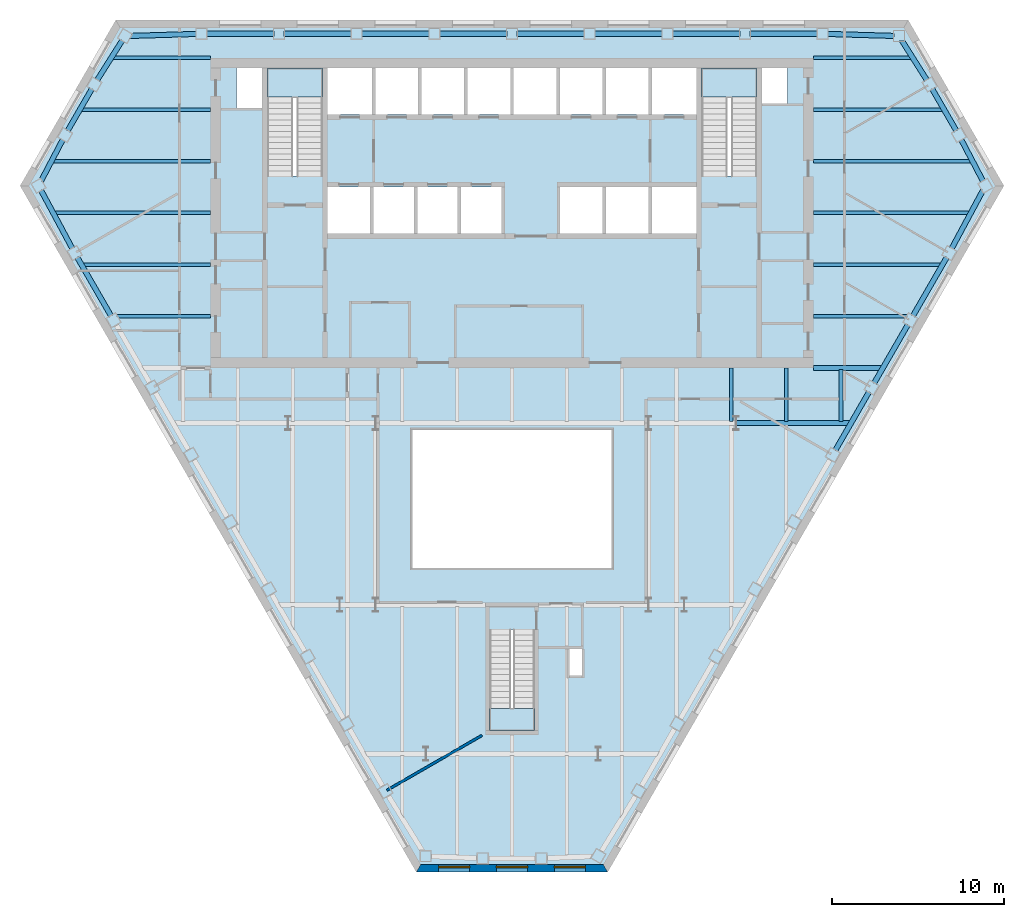
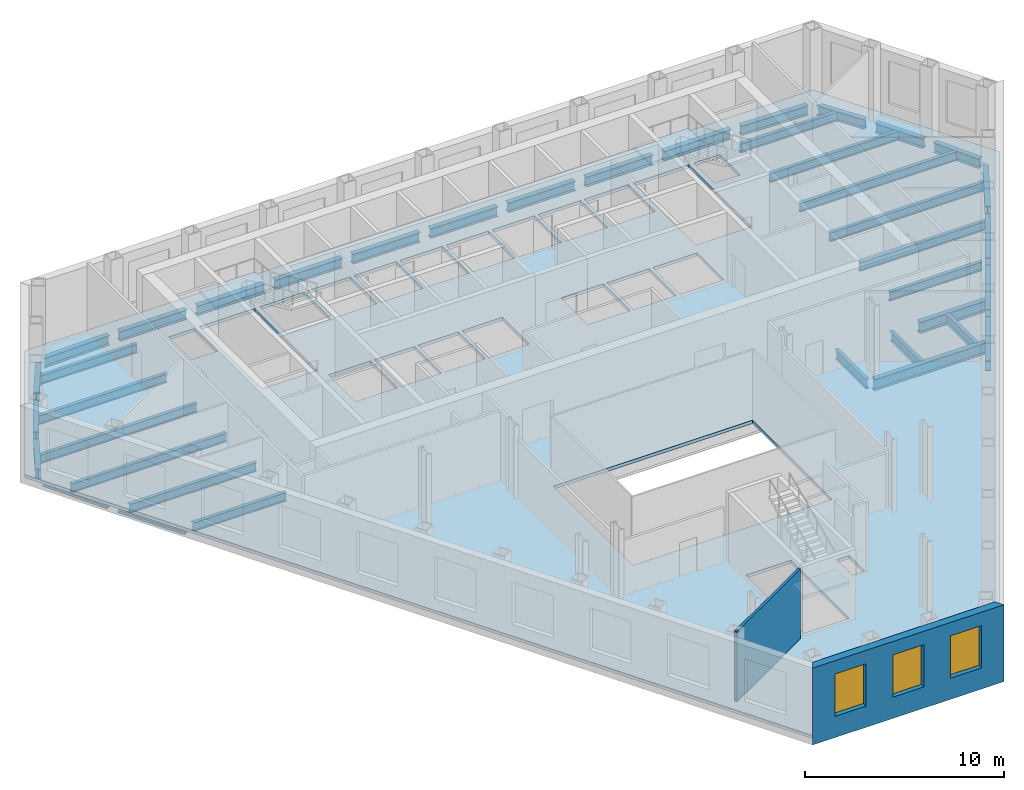
# One storey, part 3 of 11: 39 beams, 4 slabs, 3 windows, 2 walls, 3 openings, 3 elements without a shape of their own.
"""IFC4 building model written with IfcOpenShell, lengths in metres."""

from ifc_helpers import new_model, si_unit, direction, frame, frame_2d, origin, origin_2d, place, context, subcontext, project, spatial, polyline, rectangle, i_section, outline, extrude, clip, halfspace, material, layer, layer_set, material_profile, profile_set, type_object, element, fill, aggregate, save


model = new_model("IFC4")

# Units and contexts
model_context = context("Model", 3, precision=1e-05, world=origin(), true_north=direction((0.0, 1.0)))
body_context = subcontext(model_context, "Body", "Model", "MODEL_VIEW")
ifc_project = project(units=[si_unit("LENGTHUNIT", "METRE"), si_unit("AREAUNIT", "SQUARE_METRE"), si_unit("VOLUMEUNIT", "CUBIC_METRE"), si_unit("PLANEANGLEUNIT", "RADIAN"), si_unit("MASSUNIT", "GRAM", prefix="KILO")], contexts=[model_context])

# Site, building, storey
site_placement = place(None, origin())
site = spatial("IfcSite", under=ifc_project, at=site_placement, CompositionType="ELEMENT")
building_placement = place(site_placement, origin())
building = spatial("IfcBuilding", under=site, at=building_placement, Name="Njiva Tower", CompositionType="ELEMENT")
storey_placement = place(building_placement, frame((0.0, 0.0, 64.8)))
storey = spatial("IfcBuildingStorey", under=building, at=storey_placement, Name="L13", CompositionType="ELEMENT", Elevation=64.8)

# Beams
ifc_material_1 = material(Name="Steel S355 J2", Category="steel")
ifc_material_profile_1 = material_profile(ifc_material_1, i_section(OverallWidth=0.21, OverallDepth=0.55, WebThickness=0.0111, FlangeThickness=0.0172, at=origin_2d()), Name="IPE 550")
ifc_profile_set_1 = profile_set([ifc_material_profile_1], Name="Steel S355 J2")
beam_type_1 = type_object("IfcBeamType", Name="B10 Floor beam to the core IPE 550", PredefinedType="BEAM", material=ifc_profile_set_1)
beam_1_placement = place(storey_placement, frame((-22.996, 3.0, -0.475), z_axis=(1.0, 0.0, 0.0), x_axis=(0.0, 1.0, 0.0)))
element("IfcBeam", 1, at=beam_1_placement, inside=storey, type_object=beam_type_1, Name="Floor beam to the core S04-B007", PredefinedType="BEAM", context=body_context, shape_type="Clipping", body=[
    clip(extrude(i_section(OverallWidth=0.21, OverallDepth=0.55, WebThickness=0.0111, FlangeThickness=0.0172, at=origin_2d()), origin(), (0.0, 0.0, 1.0), 5.496), halfspace(frame((-0.025, 0.0, 0.0955), z_axis=(-0.499998009787, 0.0, -0.866026552831), x_axis=(0.0, -1.0, 0.0)), False)),
])
beam_2_placement = place(storey_placement, frame((17.5, 3.0, -0.475), z_axis=(1.0, 0.0, 0.0), x_axis=(0.0, 1.0, 0.0)))
element("IfcBeam", 2, at=beam_2_placement, inside=storey, type_object=beam_type_1, Name="Floor beam to the core S04-B008", PredefinedType="BEAM", context=body_context, shape_type="Clipping", body=[
    clip(extrude(i_section(OverallWidth=0.21, OverallDepth=0.55, WebThickness=0.0111, FlangeThickness=0.0172, at=origin_2d()), origin(), (0.0, 0.0, 1.0), 5.496), halfspace(frame((-0.025, 0.0, 5.4005), z_axis=(-0.499998009787, 0.0, 0.866026552831), x_axis=(0.0, 1.0, 0.0)), False)),
])
beam_3_placement = place(storey_placement, frame((-24.958, 6.0, -0.475), z_axis=(1.0, 0.0, 0.0), x_axis=(0.0, 1.0, 0.0)))
element("IfcBeam", 3, at=beam_3_placement, inside=storey, type_object=beam_type_1, Name="Floor beam to the core S04-B004", PredefinedType="BEAM", context=body_context, shape_type="Clipping", body=[
    clip(extrude(i_section(OverallWidth=0.21, OverallDepth=0.55, WebThickness=0.0111, FlangeThickness=0.0172, at=origin_2d()), origin(), (0.0, 0.0, 1.0), 7.458), halfspace(frame((-0.025, 0.0, 0.095), z_axis=(-0.499998009787, 0.0, -0.866026552831), x_axis=(0.0, -1.0, 0.0)), False)),
])
beam_4_placement = place(storey_placement, frame((17.5, 6.0, -0.475), z_axis=(1.0, 0.0, 0.0), x_axis=(0.0, 1.0, 0.0)))
element("IfcBeam", 4, at=beam_4_placement, inside=storey, type_object=beam_type_1, Name="Floor beam to the core S04-B010", PredefinedType="BEAM", context=body_context, shape_type="Clipping", body=[
    clip(extrude(i_section(OverallWidth=0.21, OverallDepth=0.55, WebThickness=0.0111, FlangeThickness=0.0172, at=origin_2d()), origin(), (0.0, 0.0, 1.0), 7.458), halfspace(frame((-0.025, 0.0, 7.363), z_axis=(-0.499998009787, 0.0, 0.866026552831), x_axis=(0.0, 1.0, 0.0)), False)),
])
beam_5_placement = place(storey_placement, frame((-26.596, 9.0, -0.475), z_axis=(1.0, 0.0, 0.0), x_axis=(0.0, 1.0, 0.0)))
element("IfcBeam", 5, at=beam_5_placement, inside=storey, type_object=beam_type_1, Name="Floor beam to the core S04-B002", PredefinedType="BEAM", context=body_context, shape_type="Clipping", body=[
    clip(extrude(i_section(OverallWidth=0.21, OverallDepth=0.55, WebThickness=0.0111, FlangeThickness=0.0172, at=origin_2d()), origin(), (0.0, 0.0, 1.0), 9.096), halfspace(frame((-0.0237, 0.0, 0.0889), z_axis=(-0.473777178452, 0.0, -0.88064475538), x_axis=(0.0, -1.0, 0.0)), False)),
])
beam_6_placement = place(storey_placement, frame((17.5, 9.0, -0.475), z_axis=(1.0, 0.0, 0.0), x_axis=(0.0, 1.0, 0.0)))
element("IfcBeam", 6, at=beam_6_placement, inside=storey, type_object=beam_type_1, Name="Floor beam to the core S04-B011", PredefinedType="BEAM", context=body_context, shape_type="Clipping", body=[
    clip(extrude(i_section(OverallWidth=0.21, OverallDepth=0.55, WebThickness=0.0111, FlangeThickness=0.0172, at=origin_2d()), origin(), (0.0, 0.0, 1.0), 9.096), halfspace(frame((-0.0237, 0.0, 9.0071), z_axis=(-0.473777178452, 0.0, 0.88064475538), x_axis=(0.0, 1.0, 0.0)), False)),
])
beam_7_placement = place(storey_placement, frame((-26.698, 12.0, -0.475), z_axis=(1.0, 0.0, 0.0), x_axis=(0.0, 1.0, 0.0)))
element("IfcBeam", 7, at=beam_7_placement, inside=storey, type_object=beam_type_1, Name="Floor beam to the core S04-B001", PredefinedType="BEAM", context=body_context, shape_type="Clipping", body=[
    clip(extrude(i_section(OverallWidth=0.21, OverallDepth=0.55, WebThickness=0.0111, FlangeThickness=0.0172, at=origin_2d()), origin(), (0.0, 0.0, 1.0), 9.198), halfspace(frame((0.0232, 0.0, 0.087), z_axis=(0.46488936101, 0.0, -0.885368783061), x_axis=(0.0, -1.0, 0.0)), False)),
])
beam_8_placement = place(storey_placement, frame((17.5, 12.0, -0.475), z_axis=(1.0, 0.0, 0.0), x_axis=(0.0, 1.0, 0.0)))
element("IfcBeam", 8, at=beam_8_placement, inside=storey, type_object=beam_type_1, Name="Floor beam to the core S04-B012", PredefinedType="BEAM", context=body_context, shape_type="Clipping", body=[
    clip(extrude(i_section(OverallWidth=0.21, OverallDepth=0.55, WebThickness=0.0111, FlangeThickness=0.0172, at=origin_2d()), origin(), (0.0, 0.0, 1.0), 9.198), halfspace(frame((0.0232, 0.0, 9.111), z_axis=(0.46488936101, 0.0, 0.885368783061), x_axis=(0.0, 1.0, 0.0)), False)),
])
beam_9_placement = place(storey_placement, frame((-25.049, 15.0, -0.475), z_axis=(1.0, 0.0, 0.0), x_axis=(0.0, 1.0, 0.0)))
element("IfcBeam", 9, at=beam_9_placement, inside=storey, type_object=beam_type_1, Name="Floor beam to the core S04-B003", PredefinedType="BEAM", context=body_context, shape_type="Clipping", body=[
    clip(extrude(i_section(OverallWidth=0.21, OverallDepth=0.55, WebThickness=0.0111, FlangeThickness=0.0172, at=origin_2d()), origin(), (0.0, 0.0, 1.0), 7.549), halfspace(frame((0.025, 0.0, 0.0954), z_axis=(0.499998009787, 0.0, -0.866026552831), x_axis=(0.0, -1.0, 0.0)), False)),
])
beam_10_placement = place(storey_placement, frame((17.5, 15.0, -0.475), z_axis=(1.0, 0.0, 0.0), x_axis=(0.0, 1.0, 0.0)))
element("IfcBeam", 10, at=beam_10_placement, inside=storey, type_object=beam_type_1, Name="Floor beam to the core S04-B013", PredefinedType="BEAM", context=body_context, shape_type="Clipping", body=[
    clip(extrude(i_section(OverallWidth=0.21, OverallDepth=0.55, WebThickness=0.0111, FlangeThickness=0.0172, at=origin_2d()), origin(), (0.0, 0.0, 1.0), 7.549), halfspace(frame((0.025, 0.0, 7.4536), z_axis=(0.499998009787, 0.0, 0.866026552831), x_axis=(0.0, 1.0, 0.0)), False)),
])
beam_11_placement = place(storey_placement, frame((-23.235, 18.0, -0.475), z_axis=(1.0, 0.0, 0.0), x_axis=(0.0, 1.0, 0.0)))
element("IfcBeam", 11, at=beam_11_placement, inside=storey, type_object=beam_type_1, Name="Floor beam to the core S04-B006", PredefinedType="BEAM", context=body_context, shape_type="Clipping", body=[
    clip(extrude(i_section(OverallWidth=0.21, OverallDepth=0.55, WebThickness=0.0111, FlangeThickness=0.0172, at=origin_2d()), origin(), (0.0, 0.0, 1.0), 5.735), halfspace(frame((0.0267, 0.0, 0.1031), z_axis=(0.534309369462, 0.0, -0.845289002475), x_axis=(0.0, -1.0, 0.0)), False)),
])
beam_12_placement = place(storey_placement, frame((17.5, 18.0, -0.475), z_axis=(1.0, 0.0, 0.0), x_axis=(0.0, 1.0, 0.0)))
element("IfcBeam", 12, at=beam_12_placement, inside=storey, type_object=beam_type_1, Name="Floor beam to the core S04-B014", PredefinedType="BEAM", context=body_context, shape_type="Clipping", body=[
    clip(extrude(i_section(OverallWidth=0.21, OverallDepth=0.55, WebThickness=0.0111, FlangeThickness=0.0172, at=origin_2d()), origin(), (0.0, 0.0, 1.0), 5.735), halfspace(frame((0.0267, 0.0, 5.6319), z_axis=(0.534309369462, 0.0, 0.845289002475), x_axis=(0.0, 1.0, 0.0)), False)),
])
ifc_material_profile_2 = material_profile(ifc_material_1, i_section(OverallWidth=0.22, OverallDepth=0.6, WebThickness=0.012, FlangeThickness=0.019, at=origin_2d()), Name="IPE 600")
ifc_profile_set_2 = profile_set([ifc_material_profile_2], Name="Steel S355 J2")
beam_type_2 = type_object("IfcBeamType", Name="B14 Short-span floor joist IPE 600", PredefinedType="JOIST", material=ifc_profile_set_2)
for number, where, z_axis, x_axis, name in (
    (13, (12.733, -0.005, -0.5), (0.0, -1.0, 0.0), (1.0, 0.0, 0.0), "Short-span floor joist S04-B091"),
    (14, (15.917, -0.005, -0.5), (0.0, -1.0, 0.0), (1.0, 0.0, 0.0), "Short-span floor joist S04-B093"),
):
    element("IfcBeam", number, at=place(storey_placement, frame(where, z_axis=z_axis, x_axis=x_axis)), inside=storey, type_object=beam_type_2, Name=name, PredefinedType="JOIST", context=body_context, shape_type="SweptSolid", body=[
        extrude(i_section(OverallWidth=0.22, OverallDepth=0.6, WebThickness=0.012, FlangeThickness=0.019, at=origin_2d()), origin(), (0.0, 0.0, 1.0), 3.095),
    ])
beam_13_placement = place(storey_placement, frame((19.1, -0.1, -0.5), z_axis=(0.0, -1.0, 0.0), x_axis=(1.0, 0.0, 0.0)))
element("IfcBeam", 15, at=beam_13_placement, inside=storey, type_object=beam_type_2, Name="Short-span floor joist S04-B094", PredefinedType="JOIST", context=body_context, shape_type="SweptSolid", body=[
    extrude(i_section(OverallWidth=0.22, OverallDepth=0.6, WebThickness=0.012, FlangeThickness=0.019, at=origin_2d()), origin(), (0.0, 0.0, 1.0), 3.0),
])
ifc_material_profile_3 = material_profile(ifc_material_1, i_section(OverallWidth=0.3, OverallDepth=0.69, WebThickness=0.0145, FlangeThickness=0.027, at=origin_2d()), Name="HEA 700")
ifc_profile_set_3 = profile_set([ifc_material_profile_3], Name="Steel S355 J2")
beam_type_3 = type_object("IfcBeamType", Name="B15 Floor girder HEA 700", PredefinedType="BEAM", material=ifc_profile_set_3)
beam_14_placement = place(storey_placement, frame((13.0, -3.2, -0.545), z_axis=(1.0, 0.0, 0.0), x_axis=(0.0, 1.0, 0.0)))
element("IfcBeam", 16, at=beam_14_placement, inside=storey, type_object=beam_type_3, Name="Floor girder S04-B026", PredefinedType="BEAM", context=body_context, shape_type="Clipping", body=[
    clip(extrude(i_section(OverallWidth=0.3, OverallDepth=0.69, WebThickness=0.0145, FlangeThickness=0.027, at=origin_2d()), origin(), (0.0, 0.0, 1.0), 6.673), halfspace(frame((-0.025, 0.0, 6.5513), z_axis=(-0.499998009787, 0.0, 0.866026552831), x_axis=(0.0, 1.0, 0.0)), False)),
])
ifc_material_profile_4 = material_profile(ifc_material_1, i_section(OverallWidth=0.3, OverallDepth=0.69, WebThickness=0.0145, FlangeThickness=0.027, at=origin_2d()), Name="HEA 700")
ifc_profile_set_4 = profile_set([ifc_material_profile_4], Name="Steel S355 J2")
beam_type_4 = type_object("IfcBeamType", Name="B16 Short-span floor girder HEA 700", PredefinedType="BEAM", material=ifc_profile_set_4)
beam_15_placement = place(storey_placement, frame((17.5, 0.0, -0.545), z_axis=(1.0, 0.0, 0.0), x_axis=(0.0, 1.0, 0.0)))
element("IfcBeam", 17, at=beam_15_placement, inside=storey, type_object=beam_type_4, Name="Short-span floor girder S04-B027", PredefinedType="BEAM", context=body_context, shape_type="Clipping", body=[
    clip(extrude(i_section(OverallWidth=0.3, OverallDepth=0.69, WebThickness=0.0145, FlangeThickness=0.027, at=origin_2d()), origin(), (0.0, 0.0, 1.0), 4.02), halfspace(frame((-0.025, 0.0, 3.8989), z_axis=(-0.499998009787, 0.0, 0.866026552831), x_axis=(0.0, 1.0, 0.0)), False)),
])
ifc_material_profile_5 = material_profile(ifc_material_1, i_section(OverallWidth=0.3, OverallDepth=0.6, WebThickness=0.0155, FlangeThickness=0.03, at=origin_2d()), Name="HEB 600")
ifc_profile_set_5 = profile_set([ifc_material_profile_5], Name="Steel S355 J2")
beam_type_5 = type_object("IfcBeamType", Name="B3 Short-span spandrel beam HEB 600", PredefinedType="SPANDREL", material=ifc_profile_set_5)
beam_16_placement = place(storey_placement, frame((22.162, 19.276, -0.5), z_axis=(-0.999548107162, 0.030059631884, 0.0), x_axis=(-0.030059631884, -0.999548107162, 0.0)))
element("IfcBeam", 18, at=beam_16_placement, inside=storey, type_object=beam_type_5, Name="Short-span spandrel beam S04-B160", PredefinedType="SPANDREL", context=body_context, shape_type="SweptSolid", body=[
    extrude(i_section(OverallWidth=0.3, OverallDepth=0.6, WebThickness=0.0155, FlangeThickness=0.03, at=origin_2d()), origin(), (0.0, 0.0, 1.0), 3.8257),
])
beam_17_placement = place(storey_placement, frame((17.734, 19.4, -0.5), z_axis=(-1.0, 0.0, 0.0), x_axis=(0.0, -1.0, 0.0)))
element("IfcBeam", 19, at=beam_17_placement, inside=storey, type_object=beam_type_5, Name="Short-span spandrel beam S04-B154", PredefinedType="SPANDREL", context=body_context, shape_type="SweptSolid", body=[
    extrude(i_section(OverallWidth=0.3, OverallDepth=0.6, WebThickness=0.0155, FlangeThickness=0.03, at=origin_2d()), origin(), (0.0, 0.0, 1.0), 3.908),
])
beam_18_placement = place(storey_placement, frame((13.226, 19.4, -0.5), z_axis=(-1.0, 0.0, 0.0), x_axis=(0.0, -1.0, 0.0)))
element("IfcBeam", 20, at=beam_18_placement, inside=storey, type_object=beam_type_5, Name="Short-span spandrel beam S04-B148", PredefinedType="SPANDREL", context=body_context, shape_type="SweptSolid", body=[
    extrude(i_section(OverallWidth=0.3, OverallDepth=0.6, WebThickness=0.0155, FlangeThickness=0.03, at=origin_2d()), origin(), (0.0, 0.0, 1.0), 3.909),
])
beam_19_placement = place(storey_placement, frame((8.717, 19.4, -0.5), z_axis=(-1.0, 0.0, 0.0), x_axis=(0.0, -1.0, 0.0)))
element("IfcBeam", 21, at=beam_19_placement, inside=storey, type_object=beam_type_5, Name="Short-span spandrel beam S04-B142", PredefinedType="SPANDREL", context=body_context, shape_type="SweptSolid", body=[
    extrude(i_section(OverallWidth=0.3, OverallDepth=0.6, WebThickness=0.0155, FlangeThickness=0.03, at=origin_2d()), origin(), (0.0, 0.0, 1.0), 3.908),
])
for number, where, z_axis, x_axis, name in (
    (22, (4.209, 19.4, -0.5), (-1.0, 0.0, 0.0), (0.0, -1.0, 0.0), "Short-span spandrel beam S04-B139"),
    (23, (-0.3, 19.4, -0.5), (-1.0, 0.0, 0.0), (0.0, -1.0, 0.0), "Short-span spandrel beam S04-B136"),
):
    element("IfcBeam", number, at=place(storey_placement, frame(where, z_axis=z_axis, x_axis=x_axis)), inside=storey, type_object=beam_type_5, Name=name, PredefinedType="SPANDREL", context=body_context, shape_type="SweptSolid", body=[
        extrude(i_section(OverallWidth=0.3, OverallDepth=0.6, WebThickness=0.0155, FlangeThickness=0.03, at=origin_2d()), origin(), (0.0, 0.0, 1.0), 3.909),
    ])
beam_20_placement = place(storey_placement, frame((-4.809, 19.4, -0.5), z_axis=(-1.0, 0.0, 0.0), x_axis=(0.0, -1.0, 0.0)))
element("IfcBeam", 24, at=beam_20_placement, inside=storey, type_object=beam_type_5, Name="Short-span spandrel beam S04-B131", PredefinedType="SPANDREL", context=body_context, shape_type="SweptSolid", body=[
    extrude(i_section(OverallWidth=0.3, OverallDepth=0.6, WebThickness=0.0155, FlangeThickness=0.03, at=origin_2d()), origin(), (0.0, 0.0, 1.0), 3.908),
])
beam_21_placement = place(storey_placement, frame((-9.317, 19.4, -0.5), z_axis=(-1.0, 0.0, 0.0), x_axis=(0.0, -1.0, 0.0)))
element("IfcBeam", 25, at=beam_21_placement, inside=storey, type_object=beam_type_5, Name="Short-span spandrel beam S04-B125", PredefinedType="SPANDREL", context=body_context, shape_type="SweptSolid", body=[
    extrude(i_section(OverallWidth=0.3, OverallDepth=0.6, WebThickness=0.0155, FlangeThickness=0.03, at=origin_2d()), origin(), (0.0, 0.0, 1.0), 3.909),
])
beam_22_placement = place(storey_placement, frame((-13.826, 19.4, -0.5), z_axis=(-1.0, 0.0, 0.0), x_axis=(0.0, -1.0, 0.0)))
element("IfcBeam", 26, at=beam_22_placement, inside=storey, type_object=beam_type_5, Name="Short-span spandrel beam S04-B119", PredefinedType="SPANDREL", context=body_context, shape_type="SweptSolid", body=[
    extrude(i_section(OverallWidth=0.3, OverallDepth=0.6, WebThickness=0.0155, FlangeThickness=0.03, at=origin_2d()), origin(), (0.0, 0.0, 1.0), 3.908),
])
beam_23_placement = place(storey_placement, frame((-18.338, 19.391, -0.5), z_axis=(-0.999544572792, -0.03017692831, 0.0), x_axis=(0.03017692831, -0.999544572792, 0.0)))
element("IfcBeam", 27, at=beam_23_placement, inside=storey, type_object=beam_type_5, Name="Short-span spandrel beam S04-B113", PredefinedType="SPANDREL", context=body_context, shape_type="Clipping", body=[
    clip(extrude(i_section(OverallWidth=0.3, OverallDepth=0.6, WebThickness=0.0155, FlangeThickness=0.03, at=origin_2d()), origin(), (0.0, 0.0, 1.0), 3.8907), halfspace(frame((-0.0268, 0.0, 3.761), z_axis=(-0.525904318289, 0.0, 0.85054373668), x_axis=(0.0, 1.0, 0.0)), False)),
])
beam_24_placement = place(storey_placement, frame((-22.629, 19.009, -0.5), z_axis=(-0.534367564776, -0.845252214262, 0.0), x_axis=(0.845252214262, -0.534367564776, 0.0)))
element("IfcBeam", 28, at=beam_24_placement, inside=storey, type_object=beam_type_5, Name="Short-span spandrel beam S04-B110", PredefinedType="SPANDREL", context=body_context, shape_type="SweptSolid", body=[
    extrude(i_section(OverallWidth=0.3, OverallDepth=0.6, WebThickness=0.0155, FlangeThickness=0.03, at=origin_2d()), origin(), (0.0, 0.0, 1.0), 2.7116),
])
beam_25_placement = place(storey_placement, frame((-24.391, 16.199, -0.5), z_axis=(-0.500217983815, -0.865899514186, 0.0), x_axis=(0.865899514186, -0.500217983815, 0.0)))
element("IfcBeam", 29, at=beam_25_placement, inside=storey, type_object=beam_type_5, Name="Short-span spandrel beam S04-B106", PredefinedType="SPANDREL", context=body_context, shape_type="SweptSolid", body=[
    extrude(i_section(OverallWidth=0.3, OverallDepth=0.6, WebThickness=0.0155, FlangeThickness=0.03, at=origin_2d()), origin(), (0.0, 0.0, 1.0), 2.7948),
])
beam_26_placement = place(storey_placement, frame((-26.081, 13.248, -0.5), z_axis=(-0.464863358723, -0.885382435853, 0.0), x_axis=(0.885382435853, -0.464863358723, 0.0)))
element("IfcBeam", 30, at=beam_26_placement, inside=storey, type_object=beam_type_5, Name="Short-span spandrel beam S04-B103", PredefinedType="SPANDREL", context=body_context, shape_type="Clipping", body=[
    clip(extrude(i_section(OverallWidth=0.3, OverallDepth=0.6, WebThickness=0.0155, FlangeThickness=0.03, at=origin_2d()), origin(), (0.0, 0.0, 1.0), 2.776), halfspace(frame((-0.0266, 0.0, 2.644), z_axis=(-0.534333944675, 0.0, 0.845273467919), x_axis=(0.0, 1.0, 0.0)), False)),
])
beam_27_placement = place(storey_placement, frame((-27.338, 10.311, -0.5), z_axis=(0.473678871271, -0.880697636486, 0.0), x_axis=(0.880697636486, 0.473678871271, 0.0)))
element("IfcBeam", 31, at=beam_27_placement, inside=storey, type_object=beam_type_5, Name="Short-span spandrel beam S04-B102", PredefinedType="SPANDREL", context=body_context, shape_type="SweptSolid", body=[
    extrude(i_section(OverallWidth=0.3, OverallDepth=0.6, WebThickness=0.0155, FlangeThickness=0.03, at=origin_2d()), origin(), (0.0, 0.0, 1.0), 3.8254),
])
for number, where, z_axis, x_axis, name in (
    (32, (-25.232, 6.414, -0.5), (0.499936548189, -0.866062034606, 0.0), (0.866062034606, 0.499936548189, 0.0), "Short-span spandrel beam S04-B107"),
    (33, (18.769, -4.78, -0.5), (0.499936548189, 0.866062034606, 0.0), (-0.866062034606, 0.499936548189, 0.0), "Short-span spandrel beam S04-B162"),
):
    element("IfcBeam", number, at=place(storey_placement, frame(where, z_axis=z_axis, x_axis=x_axis)), inside=storey, type_object=beam_type_5, Name=name, PredefinedType="SPANDREL", context=body_context, shape_type="SweptSolid", body=[
        extrude(i_section(OverallWidth=0.3, OverallDepth=0.6, WebThickness=0.0155, FlangeThickness=0.03, at=origin_2d()), origin(), (0.0, 0.0, 1.0), 3.9085),
    ])
beam_28_placement = place(storey_placement, frame((21.023, -0.875, -0.5), z_axis=(0.500239230067, 0.865887240177, 0.0), x_axis=(-0.865887240177, 0.500239230067, 0.0)))
element("IfcBeam", 34, at=beam_28_placement, inside=storey, type_object=beam_type_5, Name="Short-span spandrel beam S04-B164", PredefinedType="SPANDREL", context=body_context, shape_type="SweptSolid", body=[
    extrude(i_section(OverallWidth=0.3, OverallDepth=0.6, WebThickness=0.0155, FlangeThickness=0.03, at=origin_2d()), origin(), (0.0, 0.0, 1.0), 3.9081),
])
beam_29_placement = place(storey_placement, frame((23.278, 3.029, -0.5), z_axis=(0.499936548189, 0.866062034606, 0.0), x_axis=(-0.866062034606, 0.499936548189, 0.0)))
element("IfcBeam", 35, at=beam_29_placement, inside=storey, type_object=beam_type_5, Name="Short-span spandrel beam S04-B168", PredefinedType="SPANDREL", context=body_context, shape_type="SweptSolid", body=[
    extrude(i_section(OverallWidth=0.3, OverallDepth=0.6, WebThickness=0.0155, FlangeThickness=0.03, at=origin_2d()), origin(), (0.0, 0.0, 1.0), 3.9085),
])
beam_30_placement = place(storey_placement, frame((25.526, 6.942, -0.5), z_axis=(0.473910354791, 0.880573094991, 0.0), x_axis=(-0.880573094991, 0.473910354791, 0.0)))
element("IfcBeam", 36, at=beam_30_placement, inside=storey, type_object=beam_type_5, Name="Short-span spandrel beam S04-B172", PredefinedType="SPANDREL", context=body_context, shape_type="Clipping", body=[
    clip(extrude(i_section(OverallWidth=0.3, OverallDepth=0.6, WebThickness=0.0155, FlangeThickness=0.03, at=origin_2d()), origin(), (0.0, 0.0, 1.0), 3.8901), halfspace(frame((-0.0259, 0.0, 3.7607), z_axis=(-0.525645447758, 0.0, 0.850703745878), x_axis=(0.0, 1.0, 0.0)), False)),
])
beam_31_placement = place(storey_placement, frame((27.341, 10.848, -0.5), z_axis=(-0.46483389899, 0.885397902838, 0.0), x_axis=(-0.885397902838, -0.46483389899, 0.0)))
element("IfcBeam", 37, at=beam_31_placement, inside=storey, type_object=beam_type_5, Name="Short-span spandrel beam S04-B173", PredefinedType="SPANDREL", context=body_context, shape_type="SweptSolid", body=[
    extrude(i_section(OverallWidth=0.3, OverallDepth=0.6, WebThickness=0.0155, FlangeThickness=0.03, at=origin_2d()), origin(), (0.0, 0.0, 1.0), 2.7106),
])
beam_32_placement = place(storey_placement, frame((25.789, 13.779, -0.5), z_axis=(-0.500217983815, 0.865899514186, 0.0), x_axis=(-0.865899514186, -0.500217983815, 0.0)))
element("IfcBeam", 38, at=beam_32_placement, inside=storey, type_object=beam_type_5, Name="Short-span spandrel beam S04-B169", PredefinedType="SPANDREL", context=body_context, shape_type="SweptSolid", body=[
    extrude(i_section(OverallWidth=0.3, OverallDepth=0.6, WebThickness=0.0155, FlangeThickness=0.03, at=origin_2d()), origin(), (0.0, 0.0, 1.0), 2.7948),
])
beam_33_placement = place(storey_placement, frame((24.078, 16.717, -0.5), z_axis=(-0.534247402618, 0.845328168699, 0.0), x_axis=(-0.845328168699, -0.534247402618, 0.0)))
element("IfcBeam", 39, at=beam_33_placement, inside=storey, type_object=beam_type_5, Name="Short-span spandrel beam S04-B165", PredefinedType="SPANDREL", context=body_context, shape_type="Clipping", body=[
    clip(extrude(i_section(OverallWidth=0.3, OverallDepth=0.6, WebThickness=0.0155, FlangeThickness=0.03, at=origin_2d()), origin(), (0.0, 0.0, 1.0), 2.7767), halfspace(frame((-0.0265, 0.0, 2.6449), z_axis=(-0.534247402618, 0.0, 0.845328168699), x_axis=(0.0, 1.0, 0.0)), False)),
])

# Stair, slab
ifc_material_2 = material(Name="Concrete C40/50", Category="concrete")
stair_type_1 = type_object("IfcStairType", Name="ST4 Exit stair 1500", PredefinedType="HALF_TURN_STAIR", material=ifc_material_2)
stair_1_placement = place(storey_placement, origin())
stair_1 = element("IfcStair", 40, at=stair_1_placement, inside=storey, type_object=stair_type_1, Name="Stair A", PredefinedType="HALF_TURN_STAIR")
ifc_layer_1 = layer(ifc_material_2, 0.2)
ifc_layer_set_1 = layer_set([ifc_layer_1], Name="Concrete C40/50")
slab_type_1 = type_object("IfcSlabType", Name="FL9 Stair landing 200", PredefinedType="LANDING", material=ifc_layer_set_1)
slab_1_placement = place(storey_placement, frame((0.0, 0.0, 2.05)))
slab_1 = element("IfcSlab", 41, at=slab_1_placement, type_object=slab_type_1, Name="ST-A landing 1", PredefinedType="LANDING", context=body_context, shape_type="SweptSolid", body=[
    extrude(outline(polyline([(-14.206, 15.72), (-10.994, 15.72), (-10.994, 17.4), (-14.206, 17.4), (-14.206, 15.72)])), origin(), (0.0, 0.0, 1.0), 0.2),
])
aggregate(stair_1, [slab_1])

stair_2_placement = place(storey_placement, origin())
stair_2 = element("IfcStair", 42, at=stair_2_placement, inside=storey, type_object=stair_type_1, Name="Stair B", PredefinedType="HALF_TURN_STAIR")
slab_2_placement = place(storey_placement, frame((0.0, 0.0, 2.05)))
slab_2 = element("IfcSlab", 43, at=slab_2_placement, type_object=slab_type_1, Name="ST-B landing 1", PredefinedType="LANDING", context=body_context, shape_type="SweptSolid", body=[
    extrude(outline(polyline([(10.994, 15.72), (14.206, 15.72), (14.206, 17.4), (10.994, 17.4), (10.994, 15.72)])), origin(), (0.0, 0.0, 1.0), 0.2),
])
aggregate(stair_2, [slab_2])

stair_type_2 = type_object("IfcStairType", Name="ST1 Exit stair 1250", PredefinedType="HALF_TURN_STAIR", material=ifc_material_2)
stair_3_placement = place(storey_placement, origin())
stair_3 = element("IfcStair", 44, at=stair_3_placement, inside=storey, type_object=stair_type_2, Name="Stair C", PredefinedType="HALF_TURN_STAIR")
slab_3_placement = place(storey_placement, frame((0.0, 0.0, 2.05)))
slab_3 = element("IfcSlab", 45, at=slab_3_placement, type_object=slab_type_1, Name="ST-C landing 1", PredefinedType="LANDING", context=body_context, shape_type="SweptSolid", body=[
    extrude(outline(polyline([(-1.306, -21.05), (1.306, -21.05), (1.306, -19.78), (-1.306, -19.78), (-1.306, -21.05)])), origin(), (0.0, 0.0, 1.0), 0.2),
])
aggregate(stair_3, [slab_3])

# Slab
ifc_material_3 = material(Name="Concrete C30/37", Category="concrete")
ifc_layer_2 = layer(ifc_material_3, 0.2)
ifc_layer_set_2 = layer_set([ifc_layer_2], Name="Concrete C30/37")
slab_type_2 = type_object("IfcSlabType", Name="SL16 Composite floor slab 200", PredefinedType="FLOOR", material=ifc_layer_set_2)
slab_4_placement = place(storey_placement, frame((0.0, 0.0, -0.2)))
element("IfcSlab", 46, at=slab_4_placement, inside=storey, type_object=slab_type_2, Name="Floor slab L13", PredefinedType="FLOOR", context=body_context, shape_type="SweptSolid", body=[
    extrude(outline(polyline([(28.3002, 10.5785), (5.4251, -29.0424), (-5.4251, -29.0424), (-28.3002, 10.5785), (-22.8751, 19.975), (22.8751, 19.975), (28.3002, 10.5785)]), holes=[polyline([(14.5, 17.4), (14.5, 15.3533), (16.0, 15.3533), (16.0, 17.4), (14.5, 17.4)]), polyline([(10.994, 11.13), (14.206, 11.13), (14.206, 17.4), (10.994, 17.4), (10.994, 11.13)]), polyline([(8.125, 17.4), (8.125, 14.7), (10.7, 14.7), (10.7, 17.4), (8.125, 17.4)]), polyline([(8.1333, 10.5), (8.1333, 7.8), (10.7, 7.8), (10.7, 10.5), (8.1333, 10.5)]), polyline([(5.4667, 10.5), (5.4667, 7.8), (7.9333, 7.8), (7.9333, 10.5), (5.4667, 10.5)]), polyline([(5.45, 14.7), (7.925, 14.7), (7.925, 17.4), (5.45, 17.4), (5.45, 14.7)]), polyline([(5.78, -11.6), (5.78, -3.6), (-5.78, -3.6), (-5.78, -11.6), (5.78, -11.6)]), polyline([(2.8, 7.8), (5.2667, 7.8), (5.2667, 10.5), (2.8, 10.5), (2.8, 7.8)]), polyline([(2.775, 17.4), (2.775, 14.7), (5.25, 14.7), (5.25, 17.4), (2.775, 17.4)]), polyline([(3.35, -17.85), (4.05, -17.85), (4.05, -16.3), (3.35, -16.3), (3.35, -17.85)]), polyline([(0.1, 17.4), (0.1, 14.7), (2.575, 14.7), (2.575, 17.4), (0.1, 17.4)]), polyline([(-1.306, -21.05), (1.306, -21.05), (1.306, -15.19), (-1.306, -15.19), (-1.306, -21.05)]), polyline([(-2.575, 17.4), (-2.575, 14.7), (-0.1, 14.7), (-0.1, 17.4), (-2.575, 17.4)]), polyline([(-2.95, 10.5), (-2.95, 7.8), (-0.6, 7.8), (-0.6, 10.5), (-2.95, 10.5)]), polyline([(-5.25, 14.7), (-2.775, 14.7), (-2.775, 17.4), (-5.25, 17.4), (-5.25, 14.7)]), polyline([(-5.5, 10.5), (-5.5, 7.8), (-3.15, 7.8), (-3.15, 10.5), (-5.5, 10.5)]), polyline([(-7.925, 17.4), (-7.925, 14.7), (-5.45, 14.7), (-5.45, 17.4), (-7.925, 17.4)]), polyline([(-8.05, 7.8), (-5.7, 7.8), (-5.7, 10.5), (-8.05, 10.5), (-8.05, 7.8)]), polyline([(-10.7, 17.4), (-10.7, 14.7), (-8.125, 14.7), (-8.125, 17.4), (-10.7, 17.4)]), polyline([(-10.7, 7.8), (-8.25, 7.8), (-8.25, 10.5), (-10.7, 10.5), (-10.7, 7.8)]), polyline([(-14.206, 11.13), (-10.994, 11.13), (-10.994, 17.4), (-14.206, 17.4), (-14.206, 11.13)]), polyline([(-14.5, 15.1035), (-14.5, 17.4), (-16.0, 17.4), (-16.0, 15.1035), (-14.5, 15.1035)])]), origin(), (0.0, 0.0, 1.0), 0.2),
])

# Wall
ifc_material_4 = material(Name="Gypsum board on steel studs", Category="gypsum")
ifc_layer_3 = layer(ifc_material_4, 0.15)
ifc_layer_set_3 = layer_set([ifc_layer_3], Name="Gypsum board on steel studs")
wall_type_1 = type_object("IfcWallType", Name="WT21 Compartment wall 150", PredefinedType="PARTITIONING", material=ifc_layer_set_3)
wall_1_placement = place(storey_placement, frame((-7.261, -24.512, 0.0), z_axis=(0.0, 0.0, 1.0), x_axis=(0.866112488944, 0.499849133735, 0.0)))
element("IfcWall", 47, at=wall_1_placement, inside=storey, type_object=wall_type_1, Name="Partition S04-P012", PredefinedType="PARTITIONING", context=body_context, shape_type="SweptSolid", body=[
    extrude(rectangle(XDim=6.3779, YDim=0.15, at=frame_2d((3.189, 0.0))), origin(), (0.0, 0.0, 1.0), 4.3),
])

# Wall, openings, windows
ifc_material_5 = material(Name="Brick masonry, buff", Category="masonry")
ifc_layer_4 = layer(ifc_material_5, 0.45)
ifc_layer_set_4 = layer_set([ifc_layer_4], Name="Brick masonry, buff")
wall_type_2 = type_object("IfcWallType", Name="WT94 Brick pier and spandrel wall 450, buff", PredefinedType="SOLIDWALL", material=ifc_layer_set_4)
wall_2_placement = place(storey_placement, frame((-5.4251, -29.0424, -0.4), z_axis=(0.0, 0.0, 1.0), x_axis=(1.0, 0.0, 0.0)))
wall_2 = element("IfcWall", 48, at=wall_2_placement, inside=storey, type_object=wall_type_2, Name="Facade wall S", PredefinedType="SOLIDWALL", context=body_context, shape_type="SweptSolid", body=[
    extrude(outline(polyline([(-0.1299, -0.225), (10.9801, -0.225), (10.7203, 0.225), (0.1299, 0.225), (-0.1299, -0.225)])), origin(), (0.0, 0.0, 1.0), 4.72),
])
opening_1_placement = place(wall_2_placement, frame((1.1681, 0.0, 1.3)))
opening_1 = element("IfcOpeningElement", 49, at=opening_1_placement, cuts=wall_2, Name="Opening S04-W22", PredefinedType="OPENING", context=body_context, shape_type="SweptSolid", body=[
    extrude(rectangle(XDim=1.8, YDim=2.6, at=frame_2d((0.9, 1.3))), frame((0.0, 0.235, 0.0), z_axis=(0.0, -1.0, 0.0), x_axis=(1.0, 0.0, 0.0)), (0.0, 0.0, 1.0), 0.47),
])
opening_2_placement = place(wall_2_placement, frame((4.5251, 0.0, 1.3)))
opening_2 = element("IfcOpeningElement", 50, at=opening_2_placement, cuts=wall_2, Name="Opening S04-W23", PredefinedType="OPENING", context=body_context, shape_type="SweptSolid", body=[
    extrude(rectangle(XDim=1.8, YDim=2.6, at=frame_2d((0.9, 1.3))), frame((0.0, 0.235, 0.0), z_axis=(0.0, -1.0, 0.0), x_axis=(1.0, 0.0, 0.0)), (0.0, 0.0, 1.0), 0.47),
])
opening_3_placement = place(wall_2_placement, frame((7.8821, 0.0, 1.3)))
opening_3 = element("IfcOpeningElement", 51, at=opening_3_placement, cuts=wall_2, Name="Opening S04-W24", PredefinedType="OPENING", context=body_context, shape_type="SweptSolid", body=[
    extrude(rectangle(XDim=1.8, YDim=2.6, at=frame_2d((0.9, 1.3))), frame((0.0, 0.235, 0.0), z_axis=(0.0, -1.0, 0.0), x_axis=(1.0, 0.0, 0.0)), (0.0, 0.0, 1.0), 0.47),
])
ifc_material_6 = material(Name="Clear glazing in aluminium frame", Category="aluminium")
window_type = type_object("IfcWindowType", Name="W96 Deep-set window 1800x2600", PartitioningType="SINGLE_PANEL", PredefinedType="WINDOW", material=ifc_material_6)
window_1_placement = place(opening_1_placement, origin())
window_1 = element("IfcWindow", 52, at=window_1_placement, inside=storey, type_object=window_type, Name="Window", OverallHeight=2.6, OverallWidth=1.8, PartitioningType="SINGLE_PANEL", PredefinedType="WINDOW", context=body_context, shape_type="SweptSolid", body=[
    extrude(rectangle(XDim=1.8, YDim=2.6, at=frame_2d((0.9, 1.3))), frame((0.0, 0.105, 0.0), z_axis=(0.0, -1.0, 0.0), x_axis=(1.0, 0.0, 0.0)), (0.0, 0.0, 1.0), 0.06),
])
fill(opening_1, window_1)
window_2_placement = place(opening_2_placement, origin())
window_2 = element("IfcWindow", 53, at=window_2_placement, inside=storey, type_object=window_type, Name="Window", OverallHeight=2.6, OverallWidth=1.8, PartitioningType="SINGLE_PANEL", PredefinedType="WINDOW", context=body_context, shape_type="SweptSolid", body=[
    extrude(rectangle(XDim=1.8, YDim=2.6, at=frame_2d((0.9, 1.3))), frame((0.0, 0.105, 0.0), z_axis=(0.0, -1.0, 0.0), x_axis=(1.0, 0.0, 0.0)), (0.0, 0.0, 1.0), 0.06),
])
fill(opening_2, window_2)
window_3_placement = place(opening_3_placement, origin())
window_3 = element("IfcWindow", 54, at=window_3_placement, inside=storey, type_object=window_type, Name="Window", OverallHeight=2.6, OverallWidth=1.8, PartitioningType="SINGLE_PANEL", PredefinedType="WINDOW", context=body_context, shape_type="SweptSolid", body=[
    extrude(rectangle(XDim=1.8, YDim=2.6, at=frame_2d((0.9, 1.3))), frame((0.0, 0.105, 0.0), z_axis=(0.0, -1.0, 0.0), x_axis=(1.0, 0.0, 0.0)), (0.0, 0.0, 1.0), 0.06),
])
fill(opening_3, window_3)

save(model, "model.ifc")
